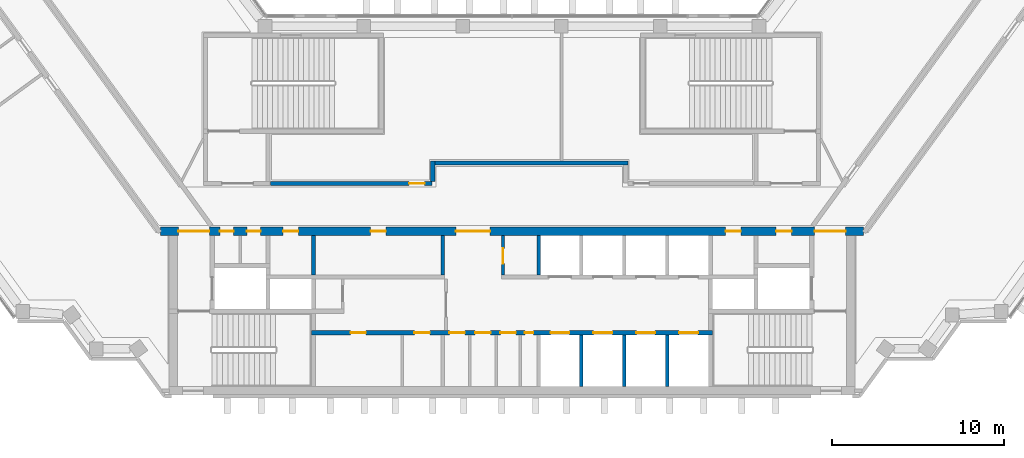
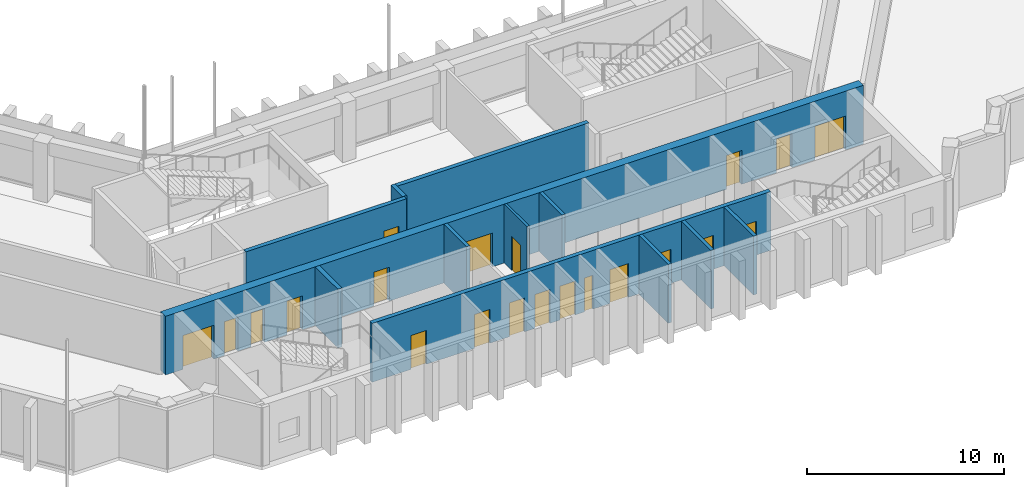
# One storey, part 8 of 13: 21 doors, 12 walls, 21 openings.
"""IFC4 building model written with IfcOpenShell, lengths in metres."""

from ifc_helpers import new_model, si_unit, direction, frame, frame_2d, origin, place, context, subcontext, project, spatial, rectangle, extrude, material, layer, layer_set, type_object, element, fill, save


model = new_model("IFC4")

# Units and contexts
model_context = context("Model", 3, precision=1e-05, world=origin(), true_north=direction((0.0, 1.0)))
body_context = subcontext(model_context, "Body", "Model", "MODEL_VIEW")
ifc_project = project(units=[si_unit("LENGTHUNIT", "METRE"), si_unit("AREAUNIT", "SQUARE_METRE"), si_unit("VOLUMEUNIT", "CUBIC_METRE"), si_unit("PLANEANGLEUNIT", "RADIAN"), si_unit("MASSUNIT", "GRAM", prefix="KILO")], contexts=[model_context])

# Site, building, storey
site_placement = place(None, origin())
site = spatial("IfcSite", under=ifc_project, at=site_placement, CompositionType="ELEMENT")
building_placement = place(site_placement, origin())
building = spatial("IfcBuilding", under=site, at=building_placement, Name="Quipu Civic Tower", CompositionType="ELEMENT")
storey_placement = place(building_placement, frame((0.0, 0.0, 172.0)))
storey = spatial("IfcBuildingStorey", under=building, at=storey_placement, Name="L40", CompositionType="ELEMENT", Elevation=172.0)

# Wall, openings, doors
ifc_material_1 = material(Name="Concrete C70/85", Category="concrete")
ifc_layer_1 = layer(ifc_material_1, 0.25)
ifc_layer_set_1 = layer_set([ifc_layer_1], Name="Concrete C70/85")
wall_type_1 = type_object("IfcWallType", Name="Core wall 250", PredefinedType="SHEAR", material=ifc_layer_set_1)
wall_1_placement = place(storey_placement, frame((11.699951171875, -7.375, 0.0), z_axis=(0.0, 0.0, 1.0), x_axis=(-1.0, 0.0, 0.0)))
wall_1 = element("IfcWall", 1, at=wall_1_placement, inside=storey, type_object=wall_type_1, Name="Core wall", PredefinedType="SHEAR", context=body_context, shape_type="SweptSolid", body=[
    extrude(rectangle(XDim=23.39990234375, YDim=0.25, at=frame_2d((11.699951171875, 0.0))), origin(), (0.0, 0.0, 1.0), 3.64990234375),
])
opening_1_placement = place(wall_1_placement, frame((20.212890625, 0.0, 0.0)))
opening_1 = element("IfcOpeningElement", 2, at=opening_1_placement, cuts=wall_1, Name="Opening CD-01", PredefinedType="OPENING", context=body_context, shape_type="SweptSolid", body=[
    extrude(rectangle(XDim=0.89990234375, YDim=2.10009765625, at=frame_2d((0.449951171875, 1.050048828125))), frame((0.0, 0.135009765625, 0.0), z_axis=(0.0, -1.0, 0.0), x_axis=(1.0, 0.0, 0.0)), (0.0, 0.0, 1.0), 0.27001953125),
])
opening_2_placement = place(wall_1_placement, frame((16.488037109375, 0.0, 0.0)))
opening_2 = element("IfcOpeningElement", 3, at=opening_2_placement, cuts=wall_1, Name="Opening CD-02", PredefinedType="OPENING", context=body_context, shape_type="SweptSolid", body=[
    extrude(rectangle(XDim=0.89990234375, YDim=2.10009765625, at=frame_2d((0.449951171875, 1.050048828125))), frame((0.0, 0.135009765625, 0.0), z_axis=(0.0, -1.0, 0.0), x_axis=(1.0, 0.0, 0.0)), (0.0, 0.0, 1.0), 0.27001953125),
])
opening_3_placement = place(wall_1_placement, frame((14.449951171875, 0.0, 0.0)))
opening_3 = element("IfcOpeningElement", 4, at=opening_3_placement, cuts=wall_1, Name="Opening CD-03", PredefinedType="OPENING", context=body_context, shape_type="SweptSolid", body=[
    extrude(rectangle(XDim=0.89990234375, YDim=2.10009765625, at=frame_2d((0.449951171875, 1.050048828125))), frame((0.0, 0.135009765625, 0.0), z_axis=(0.0, -1.0, 0.0), x_axis=(1.0, 0.0, 0.0)), (0.0, 0.0, 1.0), 0.27001953125),
])
opening_4_placement = place(wall_1_placement, frame((12.949951171875, 0.0, 0.0)))
opening_4 = element("IfcOpeningElement", 5, at=opening_4_placement, cuts=wall_1, Name="Opening CD-04", PredefinedType="OPENING", context=body_context, shape_type="SweptSolid", body=[
    extrude(rectangle(XDim=0.89990234375, YDim=2.10009765625, at=frame_2d((0.449951171875, 1.050048828125))), frame((0.0, 0.135009765625, 0.0), z_axis=(0.0, -1.0, 0.0), x_axis=(1.0, 0.0, 0.0)), (0.0, 0.0, 1.0), 0.27001953125),
])
opening_5_placement = place(wall_1_placement, frame((11.47509765625, 0.0, 0.0)))
opening_5 = element("IfcOpeningElement", 6, at=opening_5_placement, cuts=wall_1, Name="Opening CD-05", PredefinedType="OPENING", context=body_context, shape_type="SweptSolid", body=[
    extrude(rectangle(XDim=0.89990234375, YDim=2.10009765625, at=frame_2d((0.449951171875, 1.050048828125))), frame((0.0, 0.135009765625, 0.0), z_axis=(0.0, -1.0, 0.0), x_axis=(1.0, 0.0, 0.0)), (0.0, 0.0, 1.0), 0.27001953125),
])
opening_6_placement = place(wall_1_placement, frame((10.449951171875, 0.0, 0.0)))
opening_6 = element("IfcOpeningElement", 7, at=opening_6_placement, cuts=wall_1, Name="Opening CD-06", PredefinedType="OPENING", context=body_context, shape_type="SweptSolid", body=[
    extrude(rectangle(XDim=0.5, YDim=2.10009765625, at=frame_2d((0.25, 1.050048828125))), frame((0.0, 0.135009765625, 0.0), z_axis=(0.0, -1.0, 0.0), x_axis=(1.0, 0.0, 0.0)), (0.0, 0.0, 1.0), 0.27001953125),
])
opening_7_placement = place(wall_1_placement, frame((8.35009765625, 0.0, 0.0)))
opening_7 = element("IfcOpeningElement", 8, at=opening_7_placement, cuts=wall_1, Name="Opening LD-ML1", PredefinedType="OPENING", context=body_context, shape_type="SweptSolid", body=[
    extrude(rectangle(XDim=1.10009765625, YDim=2.10009765625, at=frame_2d((0.550048828125, 1.050048828125))), frame((0.0, 0.135009765625, 0.0), z_axis=(0.0, -1.0, 0.0), x_axis=(1.0, 0.0, 0.0)), (0.0, 0.0, 1.0), 0.27001953125),
])
opening_8_placement = place(wall_1_placement, frame((5.85009765625, 0.0, 0.0)))
opening_8 = element("IfcOpeningElement", 9, at=opening_8_placement, cuts=wall_1, Name="Opening LD-ML2", PredefinedType="OPENING", context=body_context, shape_type="SweptSolid", body=[
    extrude(rectangle(XDim=1.10009765625, YDim=2.10009765625, at=frame_2d((0.550048828125, 1.050048828125))), frame((0.0, 0.135009765625, 0.0), z_axis=(0.0, -1.0, 0.0), x_axis=(1.0, 0.0, 0.0)), (0.0, 0.0, 1.0), 0.27001953125),
])
opening_9_placement = place(wall_1_placement, frame((3.35009765625, 0.0, 0.0)))
opening_9 = element("IfcOpeningElement", 10, at=opening_9_placement, cuts=wall_1, Name="Opening LD-ML3", PredefinedType="OPENING", context=body_context, shape_type="SweptSolid", body=[
    extrude(rectangle(XDim=1.10009765625, YDim=2.10009765625, at=frame_2d((0.550048828125, 1.050048828125))), frame((0.0, 0.135009765625, 0.0), z_axis=(0.0, -1.0, 0.0), x_axis=(1.0, 0.0, 0.0)), (0.0, 0.0, 1.0), 0.27001953125),
])
opening_10_placement = place(wall_1_placement, frame((0.85009765625, 0.0, 0.0)))
opening_10 = element("IfcOpeningElement", 11, at=opening_10_placement, cuts=wall_1, Name="Opening LD-ML4", PredefinedType="OPENING", context=body_context, shape_type="SweptSolid", body=[
    extrude(rectangle(XDim=1.10009765625, YDim=2.10009765625, at=frame_2d((0.550048828125, 1.050048828125))), frame((0.0, 0.135009765625, 0.0), z_axis=(0.0, -1.0, 0.0), x_axis=(1.0, 0.0, 0.0)), (0.0, 0.0, 1.0), 0.27001953125),
])
ifc_material_2 = material(Name="Fire rated steel door", Category="steel")
door_type_1 = type_object("IfcDoorType", Name="Fire door FD60 500 x 2100", OperationType="NOTDEFINED", PredefinedType="DOOR", material=ifc_material_2)
door_1_placement = place(opening_6_placement, origin())
door_1 = element("IfcDoor", 12, at=door_1_placement, inside=storey, type_object=door_type_1, Name="Door", OperationType="SINGLE_SWING_LEFT", OverallHeight=2.10009765625, OverallWidth=0.5, PredefinedType="DOOR", context=body_context, shape_type="SweptSolid", body=[
    extrude(rectangle(XDim=0.5, YDim=2.10009765625, at=frame_2d((0.25, 1.050048828125))), frame((0.0, 0.02490234375, 0.0), z_axis=(0.0, -1.0, 0.0), x_axis=(1.0, 0.0, 0.0)), (0.0, 0.0, 1.0), 0.050048828125),
])
fill(opening_6, door_1)
ifc_material_3 = material(Name="Fire rated steel door", Category="steel")
door_type_2 = type_object("IfcDoorType", Name="Fire door FD60 900 x 2100", OperationType="NOTDEFINED", PredefinedType="DOOR", material=ifc_material_3)
door_2_placement = place(opening_1_placement, origin())
door_2 = element("IfcDoor", 13, at=door_2_placement, inside=storey, type_object=door_type_2, Name="Door", OperationType="SINGLE_SWING_RIGHT", OverallHeight=2.10009765625, OverallWidth=0.89990234375, PredefinedType="DOOR", context=body_context, shape_type="SweptSolid", body=[
    extrude(rectangle(XDim=0.89990234375, YDim=2.10009765625, at=frame_2d((0.449951171875, 1.050048828125))), frame((0.0, 0.02490234375, 0.0), z_axis=(0.0, -1.0, 0.0), x_axis=(1.0, 0.0, 0.0)), (0.0, 0.0, 1.0), 0.050048828125),
])
fill(opening_1, door_2)
door_3_placement = place(opening_2_placement, origin())
door_3 = element("IfcDoor", 14, at=door_3_placement, inside=storey, type_object=door_type_2, Name="Door", OperationType="SINGLE_SWING_RIGHT", OverallHeight=2.10009765625, OverallWidth=0.89990234375, PredefinedType="DOOR", context=body_context, shape_type="SweptSolid", body=[
    extrude(rectangle(XDim=0.89990234375, YDim=2.10009765625, at=frame_2d((0.449951171875, 1.050048828125))), frame((0.0, 0.02490234375, 0.0), z_axis=(0.0, -1.0, 0.0), x_axis=(1.0, 0.0, 0.0)), (0.0, 0.0, 1.0), 0.050048828125),
])
fill(opening_2, door_3)
door_4_placement = place(opening_3_placement, origin())
door_4 = element("IfcDoor", 15, at=door_4_placement, inside=storey, type_object=door_type_2, Name="WC door", OperationType="SINGLE_SWING_RIGHT", OverallHeight=2.10009765625, OverallWidth=0.89990234375, PredefinedType="DOOR", context=body_context, shape_type="SweptSolid", body=[
    extrude(rectangle(XDim=0.89990234375, YDim=2.10009765625, at=frame_2d((0.449951171875, 1.050048828125))), frame((0.0, 0.02490234375, 0.0), z_axis=(0.0, -1.0, 0.0), x_axis=(1.0, 0.0, 0.0)), (0.0, 0.0, 1.0), 0.050048828125),
])
fill(opening_3, door_4)
door_5_placement = place(opening_4_placement, origin())
door_5 = element("IfcDoor", 16, at=door_5_placement, inside=storey, type_object=door_type_2, Name="WC door", OperationType="SINGLE_SWING_RIGHT", OverallHeight=2.10009765625, OverallWidth=0.89990234375, PredefinedType="DOOR", context=body_context, shape_type="SweptSolid", body=[
    extrude(rectangle(XDim=0.89990234375, YDim=2.10009765625, at=frame_2d((0.449951171875, 1.050048828125))), frame((0.0, 0.02490234375, 0.0), z_axis=(0.0, -1.0, 0.0), x_axis=(1.0, 0.0, 0.0)), (0.0, 0.0, 1.0), 0.050048828125),
])
fill(opening_4, door_5)
door_6_placement = place(opening_5_placement, origin())
door_6 = element("IfcDoor", 17, at=door_6_placement, inside=storey, type_object=door_type_2, Name="WC door", OperationType="SINGLE_SWING_RIGHT", OverallHeight=2.10009765625, OverallWidth=0.89990234375, PredefinedType="DOOR", context=body_context, shape_type="SweptSolid", body=[
    extrude(rectangle(XDim=0.89990234375, YDim=2.10009765625, at=frame_2d((0.449951171875, 1.050048828125))), frame((0.0, 0.02490234375, 0.0), z_axis=(0.0, -1.0, 0.0), x_axis=(1.0, 0.0, 0.0)), (0.0, 0.0, 1.0), 0.050048828125),
])
fill(opening_5, door_6)
ifc_material_4 = material(Name="Stainless steel", Category="steel")
door_type_3 = type_object("IfcDoorType", Name="Lift landing door 1100 x 2100", OperationType="DOUBLE_DOOR_SLIDING", PredefinedType="DOOR", material=ifc_material_4)
door_7_placement = place(opening_7_placement, origin())
door_7 = element("IfcDoor", 18, at=door_7_placement, inside=storey, type_object=door_type_3, Name="Landing door ML1", OperationType="DOUBLE_DOOR_SLIDING", OverallHeight=2.10009765625, OverallWidth=1.10009765625, PredefinedType="DOOR", context=body_context, shape_type="SweptSolid", body=[
    extrude(rectangle(XDim=1.10009765625, YDim=2.10009765625, at=frame_2d((0.550048828125, 1.050048828125))), frame((0.0, 0.02490234375, 0.0), z_axis=(0.0, -1.0, 0.0), x_axis=(1.0, 0.0, 0.0)), (0.0, 0.0, 1.0), 0.050048828125),
])
fill(opening_7, door_7)
door_8_placement = place(opening_8_placement, origin())
door_8 = element("IfcDoor", 19, at=door_8_placement, inside=storey, type_object=door_type_3, Name="Landing door ML2", OperationType="DOUBLE_DOOR_SLIDING", OverallHeight=2.10009765625, OverallWidth=1.10009765625, PredefinedType="DOOR", context=body_context, shape_type="SweptSolid", body=[
    extrude(rectangle(XDim=1.10009765625, YDim=2.10009765625, at=frame_2d((0.550048828125, 1.050048828125))), frame((0.0, 0.02490234375, 0.0), z_axis=(0.0, -1.0, 0.0), x_axis=(1.0, 0.0, 0.0)), (0.0, 0.0, 1.0), 0.050048828125),
])
fill(opening_8, door_8)
door_9_placement = place(opening_9_placement, origin())
door_9 = element("IfcDoor", 20, at=door_9_placement, inside=storey, type_object=door_type_3, Name="Landing door ML3", OperationType="DOUBLE_DOOR_SLIDING", OverallHeight=2.10009765625, OverallWidth=1.10009765625, PredefinedType="DOOR", context=body_context, shape_type="SweptSolid", body=[
    extrude(rectangle(XDim=1.10009765625, YDim=2.10009765625, at=frame_2d((0.550048828125, 1.050048828125))), frame((0.0, 0.02490234375, 0.0), z_axis=(0.0, -1.0, 0.0), x_axis=(1.0, 0.0, 0.0)), (0.0, 0.0, 1.0), 0.050048828125),
])
fill(opening_9, door_9)
door_10_placement = place(opening_10_placement, origin())
door_10 = element("IfcDoor", 21, at=door_10_placement, inside=storey, type_object=door_type_3, Name="Landing door ML4", OperationType="DOUBLE_DOOR_SLIDING", OverallHeight=2.10009765625, OverallWidth=1.10009765625, PredefinedType="DOOR", context=body_context, shape_type="SweptSolid", body=[
    extrude(rectangle(XDim=1.10009765625, YDim=2.10009765625, at=frame_2d((0.550048828125, 1.050048828125))), frame((0.0, 0.02490234375, 0.0), z_axis=(0.0, -1.0, 0.0), x_axis=(1.0, 0.0, 0.0)), (0.0, 0.0, 1.0), 0.050048828125),
])
fill(opening_10, door_10)

# Wall
wall_2_placement = place(storey_placement, frame((-11.574951171875, -4.0, 0.0), z_axis=(0.0, 0.0, 1.0), x_axis=(0.0, 1.0, 0.0)))
element("IfcWall", 22, at=wall_2_placement, inside=storey, type_object=wall_type_1, Name="Core wall", PredefinedType="SHEAR", context=body_context, shape_type="SweptSolid", body=[
    extrude(rectangle(XDim=2.300048828125, YDim=0.25, at=frame_2d((1.14990234375, 0.0))), origin(), (0.0, 0.0, 1.0), 3.64990234375),
])

# Wall, openings, doors
ifc_material_5 = material(Name="Concrete C70/85", Category="concrete")
ifc_layer_2 = layer(ifc_material_5, 0.5)
ifc_layer_set_2 = layer_set([ifc_layer_2], Name="Concrete C70/85")
wall_type_2 = type_object("IfcWallType", Name="Core wall 500", PredefinedType="SHEAR", material=ifc_layer_set_2)
wall_3_placement = place(storey_placement, frame((20.489990234375, -1.449951171875, 0.0), z_axis=(0.0, 0.0, 1.0), x_axis=(-1.0, 0.0, 0.0)))
wall_3 = element("IfcWall", 23, at=wall_3_placement, inside=storey, type_object=wall_type_2, Name="Core wall", PredefinedType="SHEAR", context=body_context, shape_type="SweptSolid", body=[
    extrude(rectangle(XDim=40.97998046875, YDim=0.5, at=frame_2d((20.489990234375, 0.0))), origin(), (0.0, 0.0, 1.0), 3.64990234375),
])
opening_11_placement = place(wall_3_placement, frame((38.139892578125, 0.0, 0.0)))
opening_11 = element("IfcOpeningElement", 24, at=opening_11_placement, cuts=wall_3, Name="Opening CD-12", PredefinedType="OPENING", context=body_context, shape_type="SweptSolid", body=[
    extrude(rectangle(XDim=1.800048828125, YDim=2.10009765625, at=frame_2d((0.89990234375, 1.050048828125))), frame((0.0, 0.260009765625, 0.0), z_axis=(0.0, -1.0, 0.0), x_axis=(1.0, 0.0, 0.0)), (0.0, 0.0, 1.0), 0.52001953125),
])
opening_12_placement = place(wall_3_placement, frame((36.7275390625, 0.0, 0.0)))
opening_12 = element("IfcOpeningElement", 25, at=opening_12_placement, cuts=wall_3, Name="Opening CD-13", PredefinedType="OPENING", context=body_context, shape_type="SweptSolid", body=[
    extrude(rectangle(XDim=0.800048828125, YDim=2.10009765625, at=frame_2d((0.39990234375, 1.050048828125))), frame((0.0, 0.260009765625, 0.0), z_axis=(0.0, -1.0, 0.0), x_axis=(1.0, 0.0, 0.0)), (0.0, 0.0, 1.0), 0.52001953125),
])
opening_13_placement = place(wall_3_placement, frame((35.152587890625, 0.0, 0.0)))
opening_13 = element("IfcOpeningElement", 26, at=opening_13_placement, cuts=wall_3, Name="Opening CD-14", PredefinedType="OPENING", context=body_context, shape_type="SweptSolid", body=[
    extrude(rectangle(XDim=0.800048828125, YDim=2.10009765625, at=frame_2d((0.39990234375, 1.050048828125))), frame((0.0, 0.260009765625, 0.0), z_axis=(0.0, -1.0, 0.0), x_axis=(1.0, 0.0, 0.0)), (0.0, 0.0, 1.0), 0.52001953125),
])
opening_14_placement = place(wall_3_placement, frame((32.93994140625, 0.0, 0.0)))
opening_14 = element("IfcOpeningElement", 27, at=opening_14_placement, cuts=wall_3, Name="Opening CD-15", PredefinedType="OPENING", context=body_context, shape_type="SweptSolid", body=[
    extrude(rectangle(XDim=0.89990234375, YDim=2.10009765625, at=frame_2d((0.449951171875, 1.050048828125))), frame((0.0, 0.260009765625, 0.0), z_axis=(0.0, -1.0, 0.0), x_axis=(1.0, 0.0, 0.0)), (0.0, 0.0, 1.0), 0.52001953125),
])
opening_15_placement = place(wall_3_placement, frame((27.840087890625, 0.0, 0.0)))
opening_15 = element("IfcOpeningElement", 28, at=opening_15_placement, cuts=wall_3, Name="Opening CD-16", PredefinedType="OPENING", context=body_context, shape_type="SweptSolid", body=[
    extrude(rectangle(XDim=0.89990234375, YDim=2.10009765625, at=frame_2d((0.449951171875, 1.050048828125))), frame((0.0, 0.260009765625, 0.0), z_axis=(0.0, -1.0, 0.0), x_axis=(1.0, 0.0, 0.0)), (0.0, 0.0, 1.0), 0.52001953125),
])
opening_16_placement = place(wall_3_placement, frame((21.764892578125, 0.0, 0.0)))
opening_16 = element("IfcOpeningElement", 29, at=opening_16_placement, cuts=wall_3, Name="Opening CD-17", PredefinedType="OPENING", context=body_context, shape_type="SweptSolid", body=[
    extrude(rectangle(XDim=2.0, YDim=2.10009765625, at=frame_2d((1.0, 1.050048828125))), frame((0.0, 0.260009765625, 0.0), z_axis=(0.0, -1.0, 0.0), x_axis=(1.0, 0.0, 0.0)), (0.0, 0.0, 1.0), 0.52001953125),
])
opening_17_placement = place(wall_3_placement, frame((7.139892578125, 0.0, 0.0)))
opening_17 = element("IfcOpeningElement", 30, at=opening_17_placement, cuts=wall_3, Name="Opening CD-18", PredefinedType="OPENING", context=body_context, shape_type="SweptSolid", body=[
    extrude(rectangle(XDim=0.89990234375, YDim=2.10009765625, at=frame_2d((0.449951171875, 1.050048828125))), frame((0.0, 0.260009765625, 0.0), z_axis=(0.0, -1.0, 0.0), x_axis=(1.0, 0.0, 0.0)), (0.0, 0.0, 1.0), 0.52001953125),
])
opening_18_placement = place(wall_3_placement, frame((4.18994140625, 0.0, 0.0)))
opening_18 = element("IfcOpeningElement", 31, at=opening_18_placement, cuts=wall_3, Name="Opening CD-19", PredefinedType="OPENING", context=body_context, shape_type="SweptSolid", body=[
    extrude(rectangle(XDim=0.89990234375, YDim=2.10009765625, at=frame_2d((0.449951171875, 1.050048828125))), frame((0.0, 0.260009765625, 0.0), z_axis=(0.0, -1.0, 0.0), x_axis=(1.0, 0.0, 0.0)), (0.0, 0.0, 1.0), 0.52001953125),
])
opening_19_placement = place(wall_3_placement, frame((1.0400390625, 0.0, 0.0)))
opening_19 = element("IfcOpeningElement", 32, at=opening_19_placement, cuts=wall_3, Name="Opening CD-20", PredefinedType="OPENING", context=body_context, shape_type="SweptSolid", body=[
    extrude(rectangle(XDim=1.800048828125, YDim=2.10009765625, at=frame_2d((0.89990234375, 1.050048828125))), frame((0.0, 0.260009765625, 0.0), z_axis=(0.0, -1.0, 0.0), x_axis=(1.0, 0.0, 0.0)), (0.0, 0.0, 1.0), 0.52001953125),
])
ifc_material_6 = material(Name="Fire rated steel door", Category="steel")
door_type_4 = type_object("IfcDoorType", Name="Fire door FD60 800 x 2100", OperationType="NOTDEFINED", PredefinedType="DOOR", material=ifc_material_6)
door_11_placement = place(opening_12_placement, origin())
door_11 = element("IfcDoor", 33, at=door_11_placement, inside=storey, type_object=door_type_4, Name="Door", OperationType="SINGLE_SWING_RIGHT", OverallHeight=2.10009765625, OverallWidth=0.800048828125, PredefinedType="DOOR", context=body_context, shape_type="SweptSolid", body=[
    extrude(rectangle(XDim=0.800048828125, YDim=2.10009765625, at=frame_2d((0.39990234375, 1.050048828125))), frame((0.0, 0.02490234375, 0.0), z_axis=(0.0, -1.0, 0.0), x_axis=(1.0, 0.0, 0.0)), (0.0, 0.0, 1.0), 0.050048828125),
])
fill(opening_12, door_11)
door_12_placement = place(opening_13_placement, origin())
door_12 = element("IfcDoor", 34, at=door_12_placement, inside=storey, type_object=door_type_4, Name="Door", OperationType="SINGLE_SWING_RIGHT", OverallHeight=2.10009765625, OverallWidth=0.800048828125, PredefinedType="DOOR", context=body_context, shape_type="SweptSolid", body=[
    extrude(rectangle(XDim=0.800048828125, YDim=2.10009765625, at=frame_2d((0.39990234375, 1.050048828125))), frame((0.0, 0.02490234375, 0.0), z_axis=(0.0, -1.0, 0.0), x_axis=(1.0, 0.0, 0.0)), (0.0, 0.0, 1.0), 0.050048828125),
])
fill(opening_13, door_12)
door_13_placement = place(opening_14_placement, origin())
door_13 = element("IfcDoor", 35, at=door_13_placement, inside=storey, type_object=door_type_2, Name="Riser door", OperationType="SINGLE_SWING_RIGHT", OverallHeight=2.10009765625, OverallWidth=0.89990234375, PredefinedType="DOOR", context=body_context, shape_type="SweptSolid", body=[
    extrude(rectangle(XDim=0.89990234375, YDim=2.10009765625, at=frame_2d((0.449951171875, 1.050048828125))), frame((0.0, 0.02490234375, 0.0), z_axis=(0.0, -1.0, 0.0), x_axis=(1.0, 0.0, 0.0)), (0.0, 0.0, 1.0), 0.050048828125),
])
fill(opening_14, door_13)
door_14_placement = place(opening_15_placement, origin())
door_14 = element("IfcDoor", 36, at=door_14_placement, inside=storey, type_object=door_type_2, Name="Door", OperationType="SINGLE_SWING_RIGHT", OverallHeight=2.10009765625, OverallWidth=0.89990234375, PredefinedType="DOOR", context=body_context, shape_type="SweptSolid", body=[
    extrude(rectangle(XDim=0.89990234375, YDim=2.10009765625, at=frame_2d((0.449951171875, 1.050048828125))), frame((0.0, 0.02490234375, 0.0), z_axis=(0.0, -1.0, 0.0), x_axis=(1.0, 0.0, 0.0)), (0.0, 0.0, 1.0), 0.050048828125),
])
fill(opening_15, door_14)
door_15_placement = place(opening_17_placement, origin())
door_15 = element("IfcDoor", 37, at=door_15_placement, inside=storey, type_object=door_type_2, Name="Riser door", OperationType="SINGLE_SWING_LEFT", OverallHeight=2.10009765625, OverallWidth=0.89990234375, PredefinedType="DOOR", context=body_context, shape_type="SweptSolid", body=[
    extrude(rectangle(XDim=0.89990234375, YDim=2.10009765625, at=frame_2d((0.449951171875, 1.050048828125))), frame((0.0, 0.02490234375, 0.0), z_axis=(0.0, -1.0, 0.0), x_axis=(1.0, 0.0, 0.0)), (0.0, 0.0, 1.0), 0.050048828125),
])
fill(opening_17, door_15)
door_16_placement = place(opening_18_placement, origin())
door_16 = element("IfcDoor", 38, at=door_16_placement, inside=storey, type_object=door_type_2, Name="Door", OperationType="SINGLE_SWING_LEFT", OverallHeight=2.10009765625, OverallWidth=0.89990234375, PredefinedType="DOOR", context=body_context, shape_type="SweptSolid", body=[
    extrude(rectangle(XDim=0.89990234375, YDim=2.10009765625, at=frame_2d((0.449951171875, 1.050048828125))), frame((0.0, 0.02490234375, 0.0), z_axis=(0.0, -1.0, 0.0), x_axis=(1.0, 0.0, 0.0)), (0.0, 0.0, 1.0), 0.050048828125),
])
fill(opening_18, door_16)
ifc_material_7 = material(Name="Fire rated steel door", Category="steel")
door_type_5 = type_object("IfcDoorType", Name="Fire door FD90 double 1800 x 2100", OperationType="NOTDEFINED", PredefinedType="DOOR", material=ifc_material_7)
door_17_placement = place(opening_11_placement, origin())
door_17 = element("IfcDoor", 39, at=door_17_placement, inside=storey, type_object=door_type_5, Name="Lobby door", OperationType="DOUBLE_DOOR_SINGLE_SWING", OverallHeight=2.10009765625, OverallWidth=1.800048828125, PredefinedType="DOOR", context=body_context, shape_type="SweptSolid", body=[
    extrude(rectangle(XDim=1.800048828125, YDim=2.10009765625, at=frame_2d((0.89990234375, 1.050048828125))), frame((0.0, 0.02490234375, 0.0), z_axis=(0.0, -1.0, 0.0), x_axis=(1.0, 0.0, 0.0)), (0.0, 0.0, 1.0), 0.050048828125),
])
fill(opening_11, door_17)
door_18_placement = place(opening_19_placement, origin())
door_18 = element("IfcDoor", 40, at=door_18_placement, inside=storey, type_object=door_type_5, Name="Lobby door", OperationType="DOUBLE_DOOR_SINGLE_SWING", OverallHeight=2.10009765625, OverallWidth=1.800048828125, PredefinedType="DOOR", context=body_context, shape_type="SweptSolid", body=[
    extrude(rectangle(XDim=1.800048828125, YDim=2.10009765625, at=frame_2d((0.89990234375, 1.050048828125))), frame((0.0, 0.02490234375, 0.0), z_axis=(0.0, -1.0, 0.0), x_axis=(1.0, 0.0, 0.0)), (0.0, 0.0, 1.0), 0.050048828125),
])
fill(opening_19, door_18)
ifc_material_8 = material(Name="Fire rated steel door", Category="steel")
door_type_6 = type_object("IfcDoorType", Name="Fire door FD90 double 2000 x 2100", OperationType="NOTDEFINED", PredefinedType="DOOR", material=ifc_material_8)
door_19_placement = place(opening_16_placement, origin())
door_19 = element("IfcDoor", 41, at=door_19_placement, inside=storey, type_object=door_type_6, Name="Lobby door", OperationType="DOUBLE_DOOR_SINGLE_SWING", OverallHeight=2.10009765625, OverallWidth=2.0, PredefinedType="DOOR", context=body_context, shape_type="SweptSolid", body=[
    extrude(rectangle(XDim=2.0, YDim=2.10009765625, at=frame_2d((1.0, 1.050048828125))), frame((0.0, 0.02490234375, 0.0), z_axis=(0.0, -1.0, 0.0), x_axis=(1.0, 0.0, 0.0)), (0.0, 0.0, 1.0), 0.050048828125),
])
fill(opening_16, door_19)

# Wall, opening, door
ifc_material_9 = material(Name="Concrete C50/60", Category="concrete")
ifc_layer_3 = layer(ifc_material_9, 0.25)
ifc_layer_set_3 = layer_set([ifc_layer_3], Name="Concrete C50/60")
wall_type_3 = type_object("IfcWallType", Name="Corridor wall 250 concrete", PredefinedType="SOLIDWALL", material=ifc_layer_set_3)
wall_4_placement = place(storey_placement, frame((-14.090087890625, 1.324951171875, 0.0), z_axis=(0.0, 0.0, 1.0), x_axis=(1.0, 0.0, 0.0)))
wall_4 = element("IfcWall", 42, at=wall_4_placement, inside=storey, type_object=wall_type_3, Name="Corridor wall C07", PredefinedType="SOLIDWALL", context=body_context, shape_type="SweptSolid", body=[
    extrude(rectangle(XDim=9.431396484375, YDim=0.25, at=frame_2d((4.7158203125, 0.0))), origin(), (0.0, 0.0, 1.0), 3.64990234375),
])
opening_20_placement = place(wall_4_placement, frame((8.090087890625, 0.0, 0.0)))
opening_20 = element("IfcOpeningElement", 43, at=opening_20_placement, cuts=wall_4, Name="Opening D007", PredefinedType="OPENING", context=body_context, shape_type="SweptSolid", body=[
    extrude(rectangle(XDim=0.89990234375, YDim=2.10009765625, at=frame_2d((0.449951171875, 1.050048828125))), frame((0.0, 0.135009765625, 0.0), z_axis=(0.0, -1.0, 0.0), x_axis=(1.0, 0.0, 0.0)), (0.0, 0.0, 1.0), 0.27001953125),
])
ifc_material_10 = material(Name="Fire rated timber door set with metal frame", Category="wood")
door_type_7 = type_object("IfcDoorType", Name="Single door 900 x 2100 FD60", OperationType="NOTDEFINED", PredefinedType="DOOR", material=ifc_material_10)
door_20_placement = place(opening_20_placement, origin())
door_20 = element("IfcDoor", 44, at=door_20_placement, inside=storey, type_object=door_type_7, Name="Door D007", OperationType="SINGLE_SWING_RIGHT", OverallHeight=2.10009765625, OverallWidth=0.89990234375, PredefinedType="DOOR", context=body_context, shape_type="SweptSolid", body=[
    extrude(rectangle(XDim=0.89990234375, YDim=2.10009765625, at=frame_2d((0.449951171875, 1.050048828125))), frame((0.0, 0.02490234375, 0.0), z_axis=(0.0, -1.0, 0.0), x_axis=(1.0, 0.0, 0.0)), (0.0, 0.0, 1.0), 0.050048828125),
])
fill(opening_20, door_20)

# Walls
wall_5_placement = place(storey_placement, frame((-4.625, 1.45361328125, 0.0), z_axis=(0.0, 0.0, 1.0), x_axis=(0.0, 1.0, 0.0)))
element("IfcWall", 45, at=wall_5_placement, inside=storey, type_object=wall_type_3, Name="Corridor wall C08", PredefinedType="SOLIDWALL", context=body_context, shape_type="SweptSolid", body=[
    extrude(rectangle(XDim=1.1962890625, YDim=0.25, at=frame_2d((0.59814453125, 0.0))), origin(), (0.0, 0.0, 1.0), 3.64990234375),
])
wall_6_placement = place(storey_placement, frame((-4.5, 2.52490234375, 0.0), z_axis=(0.0, 0.0, 1.0), x_axis=(1.0, 0.0, 0.0)))
element("IfcWall", 46, at=wall_6_placement, inside=storey, type_object=wall_type_3, Name="Corridor wall C09", PredefinedType="SOLIDWALL", context=body_context, shape_type="SweptSolid", body=[
    extrude(rectangle(XDim=11.25, YDim=0.25, at=frame_2d((5.625, 0.0))), origin(), (0.0, 0.0, 1.0), 3.64990234375),
])

# Wall, opening, door
ifc_material_11 = material(Name="Gypsum board partition")
ifc_layer_4 = layer(ifc_material_11, 0.14990234375)
ifc_layer_set_4 = layer_set([ifc_layer_4], Name="Gypsum board partition")
wall_type_4 = type_object("IfcWallType", Name="Partition 150", PredefinedType="PARTITIONING", material=ifc_layer_set_4)
wall_7_placement = place(storey_placement, frame((-0.52490234375, -4.0, 0.0), z_axis=(0.0, 0.0, 1.0), x_axis=(0.0, 1.0, 0.0)))
wall_7 = element("IfcWall", 47, at=wall_7_placement, inside=storey, type_object=wall_type_4, Name="Partition", PredefinedType="PARTITIONING", context=body_context, shape_type="SweptSolid", body=[
    extrude(rectangle(XDim=2.300048828125, YDim=0.14990234375, at=frame_2d((1.14990234375, 0.0))), origin(), (0.0, 0.0, 1.0), 3.64990234375),
])
opening_21_placement = place(wall_7_placement, frame((0.64990234375, 0.0, 0.0)))
opening_21 = element("IfcOpeningElement", 48, at=opening_21_placement, cuts=wall_7, Name="Opening CD-11", PredefinedType="OPENING", context=body_context, shape_type="SweptSolid", body=[
    extrude(rectangle(XDim=0.89990234375, YDim=2.10009765625, at=frame_2d((0.449951171875, 1.050048828125))), frame((0.0, 0.0849609375, 0.0), z_axis=(0.0, -1.0, 0.0), x_axis=(1.0, 0.0, 0.0)), (0.0, 0.0, 1.0), 0.169921875),
])
door_21_placement = place(opening_21_placement, origin())
door_21 = element("IfcDoor", 49, at=door_21_placement, inside=storey, type_object=door_type_2, Name="WC door", OperationType="SINGLE_SWING_LEFT", OverallHeight=2.10009765625, OverallWidth=0.89990234375, PredefinedType="DOOR", context=body_context, shape_type="SweptSolid", body=[
    extrude(rectangle(XDim=0.89990234375, YDim=2.10009765625, at=frame_2d((0.449951171875, 1.050048828125))), frame((0.0, 0.02490234375, 0.0), z_axis=(0.0, -1.0, 0.0), x_axis=(1.0, 0.0, 0.0)), (0.0, 0.0, 1.0), 0.050048828125),
])
fill(opening_21, door_21)

# Walls
ifc_material_12 = material(Name="Concrete C40/50", Category="concrete")
ifc_layer_5 = layer(ifc_material_12, 0.199951171875)
ifc_layer_set_5 = layer_set([ifc_layer_5], Name="Concrete C40/50")
wall_type_5 = type_object("IfcWallType", Name="Shaft wall 200", PredefinedType="SOLIDWALL", material=ifc_layer_set_5)
for number, where, z_axis, x_axis, name in (
    (50, (4.050048828125, -10.5, 0.0), (0.0, 0.0, 1.0), (0.0, 1.0, 0.0), "Shaft wall"),
    (51, (6.550048828125, -10.5, 0.0), (0.0, 0.0, 1.0), (0.0, 1.0, 0.0), "Shaft wall"),
    (52, (9.050048828125, -10.5, 0.0), (0.0, 0.0, 1.0), (0.0, 1.0, 0.0), "Shaft wall"),
):
    element("IfcWall", number, at=place(storey_placement, frame(where, z_axis=z_axis, x_axis=x_axis)), inside=storey, type_object=wall_type_5, Name=name, PredefinedType="SOLIDWALL", context=body_context, shape_type="SweptSolid", body=[
        extrude(rectangle(XDim=3.0, YDim=0.199951171875, at=frame_2d((1.5, 0.0))), origin(), (0.0, 0.0, 1.0), 3.64990234375),
    ])
for number, where, z_axis, x_axis, name in (
    (53, (-4.050048828125, -4.0, 0.0), (0.0, 0.0, 1.0), (0.0, 1.0, 0.0), "Shaft wall"),
    (54, (1.550048828125, -4.0, 0.0), (0.0, 0.0, 1.0), (0.0, 1.0, 0.0), "Shaft wall"),
):
    element("IfcWall", number, at=place(storey_placement, frame(where, z_axis=z_axis, x_axis=x_axis)), inside=storey, type_object=wall_type_5, Name=name, PredefinedType="SOLIDWALL", context=body_context, shape_type="SweptSolid", body=[
        extrude(rectangle(XDim=2.300048828125, YDim=0.199951171875, at=frame_2d((1.14990234375, 0.0))), origin(), (0.0, 0.0, 1.0), 3.64990234375),
    ])

save(model, "model.ifc")
